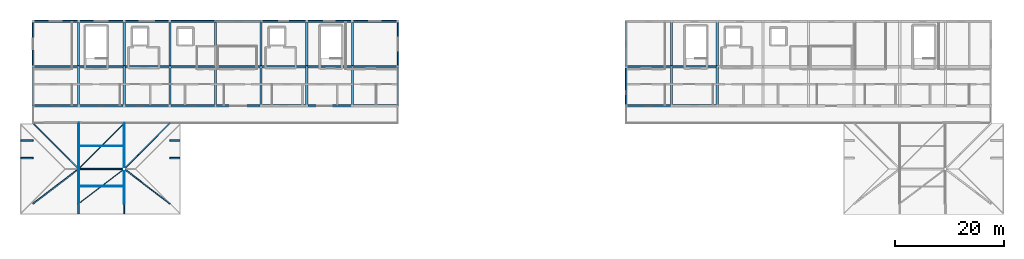
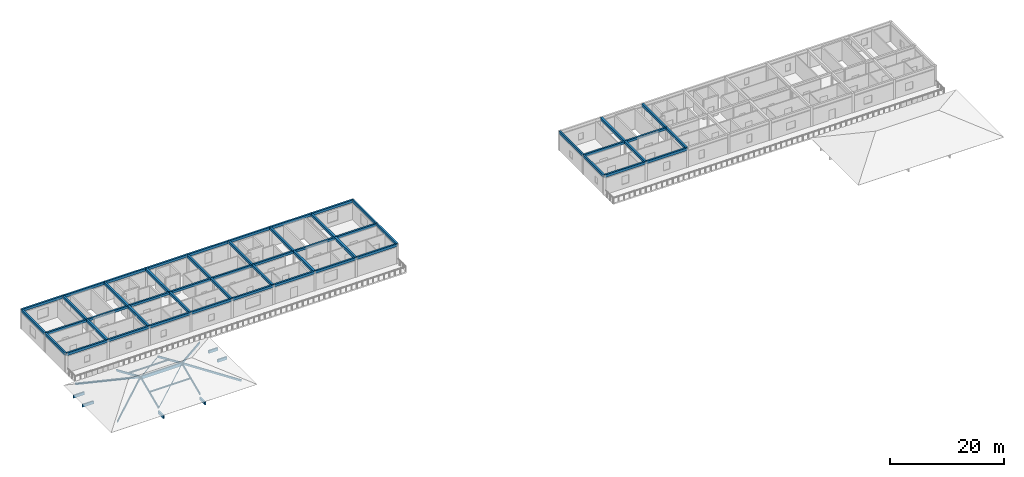
# One storey, part 9 of 22: 59 beams, 12 members.
"""IFC4 building model written with IfcOpenShell, lengths in metres."""

from ifc_helpers import new_model, si_unit, direction, frame, origin, origin_2d, place, context, subcontext, project, spatial, rectangle, hollow_circle, extrude, material, material_profile, profile_set, type_object, element, save


model = new_model("IFC4")

# Units and contexts
model_context = context("Model", 3, precision=1e-05, world=origin(), true_north=direction((0.0, 1.0)))
body_context = subcontext(model_context, "Body", "Model", "MODEL_VIEW")
ifc_project = project(units=[si_unit("LENGTHUNIT", "METRE"), si_unit("AREAUNIT", "SQUARE_METRE"), si_unit("VOLUMEUNIT", "CUBIC_METRE"), si_unit("PLANEANGLEUNIT", "RADIAN"), si_unit("MASSUNIT", "GRAM", prefix="KILO")], contexts=[model_context])

# Site, building, storey
site_placement = place(None, origin())
site = spatial("IfcSite", under=ifc_project, at=site_placement, CompositionType="ELEMENT")
building_placement = place(site_placement, origin())
building = spatial("IfcBuilding", under=site, at=building_placement, Name="Varncliffe General Hospital", CompositionType="ELEMENT")
storey_placement = place(building_placement, frame((0.0, 0.0, 33.0)))
storey = spatial("IfcBuildingStorey", under=building, at=storey_placement, Name="L07", CompositionType="ELEMENT", Elevation=33.0)

# Beams
ifc_material_1 = material(Name="Concrete C35/45 (CSA A23.1 35 MPa)", Category="concrete")
ifc_material_profile_1 = material_profile(ifc_material_1, rectangle(XDim=0.39990234375, YDim=0.550048828125, at=origin_2d()), Name="RC 400x550")
ifc_profile_set_1 = profile_set([ifc_material_profile_1], Name="Concrete C35/45 (CSA A23.1 35 MPa)")
beam_type_1 = type_object("IfcBeamType", Name="Beam B32 (Int RC 400x550)", PredefinedType="BEAM", material=ifc_profile_set_1)
beam_1_placement = place(storey_placement, frame((8.39990234375, 109.199951171875, 3.925048828125), z_axis=(0.0, 1.0, 0.0), x_axis=(-1.0, 0.0, 0.0)))
element("IfcBeam", 1, at=beam_1_placement, inside=storey, type_object=beam_type_1, Name="L07 Primary Beam B32-51", PredefinedType="BEAM", context=body_context, shape_type="SweptSolid", body=[
    extrude(rectangle(XDim=0.39990234375, YDim=0.550048828125, at=origin_2d()), origin(), (0.0, 0.0, 1.0), 7.199951171875),
])
beam_2_placement = place(storey_placement, frame((8.39990234375, 116.39990234375, 3.925048828125), z_axis=(0.0, 1.0, 0.0), x_axis=(-1.0, 0.0, 0.0)))
element("IfcBeam", 2, at=beam_2_placement, inside=storey, type_object=beam_type_1, Name="L07 Primary Beam B32-52", PredefinedType="BEAM", context=body_context, shape_type="SweptSolid", body=[
    extrude(rectangle(XDim=0.39990234375, YDim=0.550048828125, at=origin_2d()), origin(), (0.0, 0.0, 1.0), 8.400146484375),
])
beam_3_placement = place(storey_placement, frame((16.800048828125, 109.199951171875, 3.925048828125), z_axis=(0.0, 1.0, 0.0), x_axis=(-1.0, 0.0, 0.0)))
element("IfcBeam", 3, at=beam_3_placement, inside=storey, type_object=beam_type_1, Name="L07 Primary Beam B32-53", PredefinedType="BEAM", context=body_context, shape_type="SweptSolid", body=[
    extrude(rectangle(XDim=0.39990234375, YDim=0.550048828125, at=origin_2d()), origin(), (0.0, 0.0, 1.0), 7.199951171875),
])
beam_4_placement = place(storey_placement, frame((16.800048828125, 116.39990234375, 3.925048828125), z_axis=(0.0, 1.0, 0.0), x_axis=(-1.0, 0.0, 0.0)))
element("IfcBeam", 4, at=beam_4_placement, inside=storey, type_object=beam_type_1, Name="L07 Primary Beam B32-54", PredefinedType="BEAM", context=body_context, shape_type="SweptSolid", body=[
    extrude(rectangle(XDim=0.39990234375, YDim=0.550048828125, at=origin_2d()), origin(), (0.0, 0.0, 1.0), 8.400146484375),
])
beam_5_placement = place(storey_placement, frame((25.199951171875, 109.199951171875, 3.925048828125), z_axis=(0.0, 1.0, 0.0), x_axis=(-1.0, 0.0, 0.0)))
element("IfcBeam", 5, at=beam_5_placement, inside=storey, type_object=beam_type_1, Name="L07 Primary Beam B32-55", PredefinedType="BEAM", context=body_context, shape_type="SweptSolid", body=[
    extrude(rectangle(XDim=0.39990234375, YDim=0.550048828125, at=origin_2d()), origin(), (0.0, 0.0, 1.0), 7.199951171875),
])
beam_6_placement = place(storey_placement, frame((25.199951171875, 116.39990234375, 3.925048828125), z_axis=(0.0, 1.0, 0.0), x_axis=(-1.0, 0.0, 0.0)))
element("IfcBeam", 6, at=beam_6_placement, inside=storey, type_object=beam_type_1, Name="L07 Primary Beam B32-56", PredefinedType="BEAM", context=body_context, shape_type="SweptSolid", body=[
    extrude(rectangle(XDim=0.39990234375, YDim=0.550048828125, at=origin_2d()), origin(), (0.0, 0.0, 1.0), 8.400146484375),
])
beam_7_placement = place(storey_placement, frame((33.60009765625, 109.199951171875, 3.925048828125), z_axis=(0.0, 1.0, 0.0), x_axis=(-1.0, 0.0, 0.0)))
element("IfcBeam", 7, at=beam_7_placement, inside=storey, type_object=beam_type_1, Name="L07 Primary Beam B32-57", PredefinedType="BEAM", context=body_context, shape_type="SweptSolid", body=[
    extrude(rectangle(XDim=0.39990234375, YDim=0.550048828125, at=origin_2d()), origin(), (0.0, 0.0, 1.0), 7.199951171875),
])
beam_8_placement = place(storey_placement, frame((33.60009765625, 116.39990234375, 3.925048828125), z_axis=(0.0, 1.0, 0.0), x_axis=(-1.0, 0.0, 0.0)))
element("IfcBeam", 8, at=beam_8_placement, inside=storey, type_object=beam_type_1, Name="L07 Primary Beam B32-58", PredefinedType="BEAM", context=body_context, shape_type="SweptSolid", body=[
    extrude(rectangle(XDim=0.39990234375, YDim=0.550048828125, at=origin_2d()), origin(), (0.0, 0.0, 1.0), 8.400146484375),
])
beam_9_placement = place(storey_placement, frame((42.0, 109.199951171875, 3.925048828125), z_axis=(0.0, 1.0, 0.0), x_axis=(-1.0, 0.0, 0.0)))
element("IfcBeam", 9, at=beam_9_placement, inside=storey, type_object=beam_type_1, Name="L07 Primary Beam B32-59", PredefinedType="BEAM", context=body_context, shape_type="SweptSolid", body=[
    extrude(rectangle(XDim=0.39990234375, YDim=0.550048828125, at=origin_2d()), origin(), (0.0, 0.0, 1.0), 7.199951171875),
])
beam_10_placement = place(storey_placement, frame((42.0, 116.39990234375, 3.925048828125), z_axis=(0.0, 1.0, 0.0), x_axis=(-1.0, 0.0, 0.0)))
element("IfcBeam", 10, at=beam_10_placement, inside=storey, type_object=beam_type_1, Name="L07 Primary Beam B32-60", PredefinedType="BEAM", context=body_context, shape_type="SweptSolid", body=[
    extrude(rectangle(XDim=0.39990234375, YDim=0.550048828125, at=origin_2d()), origin(), (0.0, 0.0, 1.0), 8.400146484375),
])
beam_11_placement = place(storey_placement, frame((50.39990234375, 109.199951171875, 3.925048828125), z_axis=(0.0, 1.0, 0.0), x_axis=(-1.0, 0.0, 0.0)))
element("IfcBeam", 11, at=beam_11_placement, inside=storey, type_object=beam_type_1, Name="L07 Primary Beam B32-61", PredefinedType="BEAM", context=body_context, shape_type="SweptSolid", body=[
    extrude(rectangle(XDim=0.39990234375, YDim=0.550048828125, at=origin_2d()), origin(), (0.0, 0.0, 1.0), 7.199951171875),
])
beam_12_placement = place(storey_placement, frame((50.39990234375, 116.39990234375, 3.925048828125), z_axis=(0.0, 1.0, 0.0), x_axis=(-1.0, 0.0, 0.0)))
element("IfcBeam", 12, at=beam_12_placement, inside=storey, type_object=beam_type_1, Name="L07 Primary Beam B32-62", PredefinedType="BEAM", context=body_context, shape_type="SweptSolid", body=[
    extrude(rectangle(XDim=0.39990234375, YDim=0.550048828125, at=origin_2d()), origin(), (0.0, 0.0, 1.0), 8.400146484375),
])
beam_13_placement = place(storey_placement, frame((58.800048828125, 109.199951171875, 3.925048828125), z_axis=(0.0, 1.0, 0.0), x_axis=(-1.0, 0.0, 0.0)))
element("IfcBeam", 13, at=beam_13_placement, inside=storey, type_object=beam_type_1, Name="L07 Primary Beam B32-63", PredefinedType="BEAM", context=body_context, shape_type="SweptSolid", body=[
    extrude(rectangle(XDim=0.39990234375, YDim=0.550048828125, at=origin_2d()), origin(), (0.0, 0.0, 1.0), 7.199951171875),
])
beam_14_placement = place(storey_placement, frame((58.800048828125, 116.39990234375, 3.925048828125), z_axis=(0.0, 1.0, 0.0), x_axis=(-1.0, 0.0, 0.0)))
element("IfcBeam", 14, at=beam_14_placement, inside=storey, type_object=beam_type_1, Name="L07 Primary Beam B32-64", PredefinedType="BEAM", context=body_context, shape_type="SweptSolid", body=[
    extrude(rectangle(XDim=0.39990234375, YDim=0.550048828125, at=origin_2d()), origin(), (0.0, 0.0, 1.0), 8.400146484375),
])
beam_15_placement = place(storey_placement, frame((117.60009765625, 109.199951171875, 3.925048828125), z_axis=(0.0, 1.0, 0.0), x_axis=(-1.0, 0.0, 0.0)))
element("IfcBeam", 15, at=beam_15_placement, inside=storey, type_object=beam_type_1, Name="L07 Primary Beam B32-69", PredefinedType="BEAM", context=body_context, shape_type="SweptSolid", body=[
    extrude(rectangle(XDim=0.39990234375, YDim=0.550048828125, at=origin_2d()), origin(), (0.0, 0.0, 1.0), 7.199951171875),
])
beam_16_placement = place(storey_placement, frame((117.60009765625, 116.39990234375, 3.925048828125), z_axis=(0.0, 1.0, 0.0), x_axis=(-1.0, 0.0, 0.0)))
element("IfcBeam", 16, at=beam_16_placement, inside=storey, type_object=beam_type_1, Name="L07 Primary Beam B32-70", PredefinedType="BEAM", context=body_context, shape_type="SweptSolid", body=[
    extrude(rectangle(XDim=0.39990234375, YDim=0.550048828125, at=origin_2d()), origin(), (0.0, 0.0, 1.0), 8.400146484375),
])
beam_17_placement = place(storey_placement, frame((126.0, 109.199951171875, 3.925048828125), z_axis=(0.0, 1.0, 0.0), x_axis=(-1.0, 0.0, 0.0)))
element("IfcBeam", 17, at=beam_17_placement, inside=storey, type_object=beam_type_1, Name="L07 Primary Beam B32-71", PredefinedType="BEAM", context=body_context, shape_type="SweptSolid", body=[
    extrude(rectangle(XDim=0.39990234375, YDim=0.550048828125, at=origin_2d()), origin(), (0.0, 0.0, 1.0), 7.199951171875),
])
beam_18_placement = place(storey_placement, frame((126.0, 116.39990234375, 3.925048828125), z_axis=(0.0, 1.0, 0.0), x_axis=(-1.0, 0.0, 0.0)))
element("IfcBeam", 18, at=beam_18_placement, inside=storey, type_object=beam_type_1, Name="L07 Primary Beam B32-72", PredefinedType="BEAM", context=body_context, shape_type="SweptSolid", body=[
    extrude(rectangle(XDim=0.39990234375, YDim=0.550048828125, at=origin_2d()), origin(), (0.0, 0.0, 1.0), 8.400146484375),
])
ifc_material_2 = material(Name="Glulam GL28h (CSA O86 24f-EX, 30 MPa)", Category="wood")
ifc_material_profile_2 = material_profile(ifc_material_2, rectangle(XDim=0.264892578125, YDim=0.68408203125, at=origin_2d()), Name="GL 265x684")
ifc_profile_set_2 = profile_set([ifc_material_profile_2], Name="Glulam GL28h (CSA O86 24f-EX, 30 MPa)")
beam_type_2 = type_object("IfcBeamType", Name="Beam B72 (Int GL 265x684)", PredefinedType="BEAM", material=ifc_profile_set_2)
beam_19_placement = place(storey_placement, frame((8.239990234375, 97.60009765625, 2.9921875), z_axis=(1.0, 0.0, 0.0), x_axis=(0.0, 1.0, 0.0)))
element("IfcBeam", 19, at=beam_19_placement, inside=storey, type_object=beam_type_2, Name="L07 RF-V6-SW2 Glulam Ridge Girder", PredefinedType="BEAM", context=body_context, shape_type="SweptSolid", body=[
    extrude(rectangle(XDim=0.264892578125, YDim=0.68408203125, at=origin_2d()), origin(), (0.0, 0.0, 1.0), 8.719970703125),
])
ifc_material_profile_3 = material_profile(ifc_material_1, rectangle(XDim=0.35009765625, YDim=0.5, at=origin_2d()), Name="RC 350x500")
ifc_profile_set_3 = profile_set([ifc_material_profile_3], Name="Concrete C35/45 (CSA A23.1 35 MPa)")
beam_type_3 = type_object("IfcBeamType", Name="Beam B79 (Int RC 350x500)", PredefinedType="BEAM", material=ifc_profile_set_3)
beam_20_placement = place(storey_placement, frame((0.0, 116.39990234375, 3.949951171875), z_axis=(1.0, 0.0, 0.0), x_axis=(0.0, 1.0, 0.0)))
element("IfcBeam", 20, at=beam_20_placement, inside=storey, type_object=beam_type_3, Name="L07 Primary Beam B79-17", PredefinedType="BEAM", context=body_context, shape_type="SweptSolid", body=[
    extrude(rectangle(XDim=0.35009765625, YDim=0.5, at=origin_2d()), origin(), (0.0, 0.0, 1.0), 8.39990234375),
])
beam_21_placement = place(storey_placement, frame((8.39990234375, 116.39990234375, 3.949951171875), z_axis=(1.0, 0.0, 0.0), x_axis=(0.0, 1.0, 0.0)))
element("IfcBeam", 21, at=beam_21_placement, inside=storey, type_object=beam_type_3, Name="L07 Primary Beam B79-18", PredefinedType="BEAM", context=body_context, shape_type="SweptSolid", body=[
    extrude(rectangle(XDim=0.35009765625, YDim=0.5, at=origin_2d()), origin(), (0.0, 0.0, 1.0), 8.400146484375),
])
beam_22_placement = place(storey_placement, frame((16.800048828125, 116.39990234375, 3.949951171875), z_axis=(1.0, 0.0, 0.0), x_axis=(0.0, 1.0, 0.0)))
element("IfcBeam", 22, at=beam_22_placement, inside=storey, type_object=beam_type_3, Name="L07 Primary Beam B79-19", PredefinedType="BEAM", context=body_context, shape_type="SweptSolid", body=[
    extrude(rectangle(XDim=0.35009765625, YDim=0.5, at=origin_2d()), origin(), (0.0, 0.0, 1.0), 8.39990234375),
])
beam_23_placement = place(storey_placement, frame((25.199951171875, 116.39990234375, 3.949951171875), z_axis=(1.0, 0.0, 0.0), x_axis=(0.0, 1.0, 0.0)))
element("IfcBeam", 23, at=beam_23_placement, inside=storey, type_object=beam_type_3, Name="L07 Primary Beam B79-20", PredefinedType="BEAM", context=body_context, shape_type="SweptSolid", body=[
    extrude(rectangle(XDim=0.35009765625, YDim=0.5, at=origin_2d()), origin(), (0.0, 0.0, 1.0), 8.400146484375),
])
for number, where, z_axis, x_axis, name in (
    (24, (33.60009765625, 116.39990234375, 3.949951171875), (1.0, 0.0, 0.0), (0.0, 1.0, 0.0), "L07 Primary Beam B79-21"),
    (25, (42.0, 116.39990234375, 3.949951171875), (1.0, 0.0, 0.0), (0.0, 1.0, 0.0), "L07 Primary Beam B79-22"),
):
    element("IfcBeam", number, at=place(storey_placement, frame(where, z_axis=z_axis, x_axis=x_axis)), inside=storey, type_object=beam_type_3, Name=name, PredefinedType="BEAM", context=body_context, shape_type="SweptSolid", body=[
        extrude(rectangle(XDim=0.35009765625, YDim=0.5, at=origin_2d()), origin(), (0.0, 0.0, 1.0), 8.39990234375),
    ])
beam_24_placement = place(storey_placement, frame((50.39990234375, 116.39990234375, 3.949951171875), z_axis=(1.0, 0.0, 0.0), x_axis=(0.0, 1.0, 0.0)))
element("IfcBeam", 26, at=beam_24_placement, inside=storey, type_object=beam_type_3, Name="L07 Primary Beam B79-23", PredefinedType="BEAM", context=body_context, shape_type="SweptSolid", body=[
    extrude(rectangle(XDim=0.35009765625, YDim=0.5, at=origin_2d()), origin(), (0.0, 0.0, 1.0), 8.400146484375),
])
beam_25_placement = place(storey_placement, frame((58.800048828125, 116.39990234375, 3.949951171875), z_axis=(1.0, 0.0, 0.0), x_axis=(0.0, 1.0, 0.0)))
element("IfcBeam", 27, at=beam_25_placement, inside=storey, type_object=beam_type_3, Name="L07 Primary Beam B79-24", PredefinedType="BEAM", context=body_context, shape_type="SweptSolid", body=[
    extrude(rectangle(XDim=0.35009765625, YDim=0.5, at=origin_2d()), origin(), (0.0, 0.0, 1.0), 8.39990234375),
])
beam_26_placement = place(storey_placement, frame((109.199951171875, 116.39990234375, 3.949951171875), z_axis=(1.0, 0.0, 0.0), x_axis=(0.0, 1.0, 0.0)))
element("IfcBeam", 28, at=beam_26_placement, inside=storey, type_object=beam_type_3, Name="L07 Primary Beam B79-25", PredefinedType="BEAM", context=body_context, shape_type="SweptSolid", body=[
    extrude(rectangle(XDim=0.35009765625, YDim=0.5, at=origin_2d()), origin(), (0.0, 0.0, 1.0), 8.400146484375),
])
beam_27_placement = place(storey_placement, frame((117.60009765625, 116.39990234375, 3.949951171875), z_axis=(1.0, 0.0, 0.0), x_axis=(0.0, 1.0, 0.0)))
element("IfcBeam", 29, at=beam_27_placement, inside=storey, type_object=beam_type_3, Name="L07 Primary Beam B79-26", PredefinedType="BEAM", context=body_context, shape_type="SweptSolid", body=[
    extrude(rectangle(XDim=0.35009765625, YDim=0.5, at=origin_2d()), origin(), (0.0, 0.0, 1.0), 8.39990234375),
])
ifc_material_profile_4 = material_profile(ifc_material_2, rectangle(XDim=0.264892578125, YDim=0.60791015625, at=origin_2d()), Name="GL 265x608")
ifc_profile_set_4 = profile_set([ifc_material_profile_4], Name="Glulam GL28h (CSA O86 24f-EX, 30 MPa)")
beam_type_4 = type_object("IfcBeamType", Name="Beam B82 (Ext GL 265x608)", PredefinedType="BEAM", material=ifc_profile_set_4)
for number, where, z_axis, x_axis, name in (
    (30, (8.39990234375, 89.340087890625, -0.501708984375), (0.0, 1.0, 0.0), (-1.0, 0.0, 0.0), "L07 RF-V6-SW2 South Eave Lookout Bracket 1"),
    (31, (16.800048828125, 89.340087890625, -0.501708984375), (0.0, 1.0, 0.0), (-1.0, 0.0, 0.0), "L07 RF-V6-SW2 South Eave Lookout Bracket 2"),
):
    element("IfcBeam", number, at=place(storey_placement, frame(where, z_axis=z_axis, x_axis=x_axis)), inside=storey, type_object=beam_type_4, Name=name, PredefinedType="BEAM", context=body_context, shape_type="SweptSolid", body=[
        extrude(rectangle(XDim=0.264892578125, YDim=0.60791015625, at=origin_2d()), origin(), (0.0, 0.0, 1.0), 1.85986328125),
    ])
for number, where, z_axis, x_axis, name in (
    (32, (-2.260009765625, 99.60009765625, -0.501708984375), (1.0, 0.0, 0.0), (0.0, 1.0, 0.0), "L07 RF-V6-SW2 West Eave Lookout Bracket 1"),
    (33, (-2.260009765625, 102.800048828125, -0.501708984375), (1.0, 0.0, 0.0), (0.0, 1.0, 0.0), "L07 RF-V6-SW2 West Eave Lookout Bracket 2"),
):
    element("IfcBeam", number, at=place(storey_placement, frame(where, z_axis=z_axis, x_axis=x_axis)), inside=storey, type_object=beam_type_4, Name=name, PredefinedType="BEAM", context=body_context, shape_type="SweptSolid", body=[
        extrude(rectangle(XDim=0.264892578125, YDim=0.60791015625, at=origin_2d()), origin(), (0.0, 0.0, 1.0), 2.260009765625),
    ])
for number, where, z_axis, x_axis, name in (
    (34, (25.199951171875, 99.60009765625, -0.501708984375), (1.0, 0.0, 0.0), (0.0, 1.0, 0.0), "L07 RF-V6-SW2 East Eave Lookout Bracket 1"),
    (35, (25.199951171875, 102.800048828125, -0.501708984375), (1.0, 0.0, 0.0), (0.0, 1.0, 0.0), "L07 RF-V6-SW2 East Eave Lookout Bracket 2"),
):
    element("IfcBeam", number, at=place(storey_placement, frame(where, z_axis=z_axis, x_axis=x_axis)), inside=storey, type_object=beam_type_4, Name=name, PredefinedType="BEAM", context=body_context, shape_type="SweptSolid", body=[
        extrude(rectangle(XDim=0.264892578125, YDim=0.60791015625, at=origin_2d()), origin(), (0.0, 0.0, 1.0), 1.860107421875),
    ])

# Members
ifc_material_profile_5 = material_profile(ifc_material_2, rectangle(XDim=0.1298828125, YDim=0.26611328125, at=origin_2d()), Name="GL 130x266")
ifc_profile_set_5 = profile_set([ifc_material_profile_5], Name="Glulam GL28h (CSA O86 24f-EX, 30 MPa)")
member_type_1 = type_object("IfcMemberType", Name="Member MB19 (PURLIN Int GL 130x266)", PredefinedType="PURLIN", material=ifc_profile_set_5)
for number, where, z_axis, x_axis, name in (
    (36, (8.39990234375, 94.39990234375, 1.84912109375), (1.0, 0.0, 0.0), (0.0, 1.0, 0.0), "L07 RF-V6-SW2 Timber Purlin S1"),
    (37, (8.39990234375, 101.800048828125, 1.413330078125), (1.0, 0.0, 0.0), (0.0, 1.0, 0.0), "L07 RF-V6-SW2 Timber Purlin N1"),
):
    element("IfcMember", number, at=place(storey_placement, frame(where, z_axis=z_axis, x_axis=x_axis)), inside=storey, type_object=member_type_1, Name=name, PredefinedType="PURLIN", context=body_context, shape_type="SweptSolid", body=[
        extrude(rectangle(XDim=0.1298828125, YDim=0.26611328125, at=origin_2d()), origin(), (0.0, 0.0, 1.0), 8.400146484375),
    ])
ifc_material_profile_6 = material_profile(ifc_material_2, rectangle(XDim=0.175048828125, YDim=0.41796875, at=origin_2d()), Name="GL 175x418")
ifc_profile_set_6 = profile_set([ifc_material_profile_6], Name="Glulam GL28h (CSA O86 24f-EX, 30 MPa)")
member_type_2 = type_object("IfcMemberType", Name="Member MB73 (RAFTER Int GL 175x418)", PredefinedType="RAFTER", material=ifc_profile_set_6)
member_1_placement = place(storey_placement, frame((0.0, 91.199951171875, 0.368408203125), z_axis=(0.769055095885, 0.585948878651, 0.255378485977), x_axis=(-0.606044615001, 0.795430653564, 0.0)))
element("IfcMember", 38, at=member_1_placement, inside=storey, type_object=member_type_2, Name="L07 RF-V6-SW2 Hip Rafter SW", PredefinedType="RAFTER", context=body_context, shape_type="SweptSolid", body=[
    extrude(rectangle(XDim=0.175048828125, YDim=0.41796875, at=origin_2d()), origin(), (0.0, 0.0, 1.0), 10.87060546875),
])
member_2_placement = place(storey_placement, frame((0.0, 106.0, -0.505859375), z_axis=(0.675745322205, -0.675745322205, 0.294510643331), x_axis=(0.707106781187, 0.707106781187, 0.0)))
element("IfcMember", 39, at=member_2_placement, inside=storey, type_object=member_type_2, Name="L07 RF-V6-SW2 Hip Rafter NW", PredefinedType="RAFTER", context=body_context, shape_type="SweptSolid", body=[
    extrude(rectangle(XDim=0.175048828125, YDim=0.41796875, at=origin_2d()), origin(), (0.0, 0.0, 1.0), 12.378173828125),
])
member_3_placement = place(storey_placement, frame((25.199951171875, 91.199951171875, 0.368408203125), z_axis=(-0.769055095885, 0.585948878651, 0.255378485977), x_axis=(-0.606044615001, -0.795430653564, 0.0)))
element("IfcMember", 40, at=member_3_placement, inside=storey, type_object=member_type_2, Name="L07 RF-V6-SW2 Hip Rafter SE", PredefinedType="RAFTER", context=body_context, shape_type="SweptSolid", body=[
    extrude(rectangle(XDim=0.175048828125, YDim=0.41796875, at=origin_2d()), origin(), (0.0, 0.0, 1.0), 10.87060546875),
])
member_4_placement = place(storey_placement, frame((25.199951171875, 106.0, -0.505859375), z_axis=(-0.675745322205, -0.675745322205, 0.294510643331), x_axis=(0.707106781187, -0.707106781187, 0.0)))
element("IfcMember", 41, at=member_4_placement, inside=storey, type_object=member_type_2, Name="L07 RF-V6-SW2 Hip Rafter NE", PredefinedType="RAFTER", context=body_context, shape_type="SweptSolid", body=[
    extrude(rectangle(XDim=0.175048828125, YDim=0.41796875, at=origin_2d()), origin(), (0.0, 0.0, 1.0), 12.378173828125),
])
member_5_placement = place(storey_placement, frame((8.39990234375, 91.199951171875, 0.3564453125), z_axis=(0.0, 0.916719503306, 0.399531415858), x_axis=(-1.0, 0.0, 0.0)))
element("IfcMember", 42, at=member_5_placement, inside=storey, type_object=member_type_2, Name="L07 RF-V6-SW2 South Sloped Glulam Rafter 1", PredefinedType="RAFTER", context=body_context, shape_type="SweptSolid", body=[
    extrude(rectangle(XDim=0.175048828125, YDim=0.41796875, at=origin_2d()), origin(), (0.0, 0.0, 1.0), 6.916015625),
])
member_6_placement = place(storey_placement, frame((8.39990234375, 106.0, -0.51513671875), z_axis=(0.0, -0.916722427395, 0.399524706509), x_axis=(1.0, 0.0, 0.0)))
element("IfcMember", 43, at=member_6_placement, inside=storey, type_object=member_type_2, Name="L07 RF-V6-SW2 North Sloped Glulam Rafter 1", PredefinedType="RAFTER", context=body_context, shape_type="SweptSolid", body=[
    extrude(rectangle(XDim=0.175048828125, YDim=0.41796875, at=origin_2d()), origin(), (0.0, 0.0, 1.0), 9.09765625),
])
member_7_placement = place(storey_placement, frame((16.800048828125, 91.199951171875, 0.3564453125), z_axis=(0.0, 0.916719503306, 0.399531415858), x_axis=(-1.0, 0.0, 0.0)))
element("IfcMember", 44, at=member_7_placement, inside=storey, type_object=member_type_2, Name="L07 RF-V6-SW2 South Sloped Glulam Rafter 2", PredefinedType="RAFTER", context=body_context, shape_type="SweptSolid", body=[
    extrude(rectangle(XDim=0.175048828125, YDim=0.41796875, at=origin_2d()), origin(), (0.0, 0.0, 1.0), 6.916015625),
])
member_8_placement = place(storey_placement, frame((16.800048828125, 106.0, -0.51513671875), z_axis=(0.0, -0.916722427395, 0.399524706509), x_axis=(1.0, 0.0, 0.0)))
element("IfcMember", 45, at=member_8_placement, inside=storey, type_object=member_type_2, Name="L07 RF-V6-SW2 North Sloped Glulam Rafter 2", PredefinedType="RAFTER", context=body_context, shape_type="SweptSolid", body=[
    extrude(rectangle(XDim=0.175048828125, YDim=0.41796875, at=origin_2d()), origin(), (0.0, 0.0, 1.0), 9.09765625),
])
ifc_material_3 = material(Name="Steel S355 (CSA G40.21 350W)", Category="steel")
ifc_material_profile_7 = material_profile(ifc_material_3, hollow_circle(Radius=0.083984375, WallThickness=0.00634765625, at=origin_2d()), Name="CHS 168x6.4")
ifc_profile_set_7 = profile_set([ifc_material_profile_7], Name="Steel S355 (CSA G40.21 350W)")
member_type_3 = type_object("IfcMemberType", Name="Member MB84 (BRACE Int CHS 168x6.4)", PredefinedType="BRACE", material=ifc_profile_set_7)
member_9_placement = place(storey_placement, frame((8.39990234375, 91.199951171875, 0.3564453125), z_axis=(0.771755913015, 0.588007709469, 0.242156445982), x_axis=(-0.60604530486, 0.795430127954, 0.0)))
element("IfcMember", 46, at=member_9_placement, inside=storey, type_object=member_type_3, Name="L07 RF-V6-SW2 Lateral Wind Brace 1", PredefinedType="BRACE", context=body_context, shape_type="SweptSolid", body=[
    extrude(hollow_circle(Radius=0.083984375, WallThickness=0.00634765625, at=origin_2d()), origin(), (0.0, 0.0, 1.0), 10.884521484375),
])
member_10_placement = place(storey_placement, frame((16.800048828125, 106.0, -0.51513671875), z_axis=(-0.678176655808, -0.678156945381, 0.283159991785), x_axis=(0.707096505339, -0.707117056885, 0.0)))
element("IfcMember", 47, at=member_10_placement, inside=storey, type_object=member_type_3, Name="L07 RF-V6-SW2 Lateral Wind Brace 2", PredefinedType="BRACE", context=body_context, shape_type="SweptSolid", body=[
    extrude(hollow_circle(Radius=0.083984375, WallThickness=0.00634765625, at=origin_2d()), origin(), (0.0, 0.0, 1.0), 12.386474609375),
])

# Beams
ifc_material_profile_8 = material_profile(ifc_material_1, rectangle(XDim=0.35009765625, YDim=0.550048828125, at=origin_2d()), Name="RC 350x550")
ifc_profile_set_8 = profile_set([ifc_material_profile_8], Name="Concrete C35/45 (CSA A23.1 35 MPa)")
beam_type_5 = type_object("IfcBeamType", Name="Spandrel SP20 (Ext RC 350x550)", PredefinedType="SPANDREL", material=ifc_profile_set_8)
beam_28_placement = place(storey_placement, frame((0.0, 109.199951171875, 3.925048828125), z_axis=(1.0, 0.0, 0.0), x_axis=(0.0, 1.0, 0.0)))
element("IfcBeam", 48, at=beam_28_placement, inside=storey, type_object=beam_type_5, Name="L07 Spandrel Beam SP20-1", PredefinedType="SPANDREL", context=body_context, shape_type="SweptSolid", body=[
    extrude(rectangle(XDim=0.35009765625, YDim=0.550048828125, at=origin_2d()), origin(), (0.0, 0.0, 1.0), 8.39990234375),
])
beam_29_placement = place(storey_placement, frame((8.39990234375, 109.199951171875, 3.925048828125), z_axis=(1.0, 0.0, 0.0), x_axis=(0.0, 1.0, 0.0)))
element("IfcBeam", 49, at=beam_29_placement, inside=storey, type_object=beam_type_5, Name="L07 Spandrel Beam SP20-2", PredefinedType="SPANDREL", context=body_context, shape_type="SweptSolid", body=[
    extrude(rectangle(XDim=0.35009765625, YDim=0.550048828125, at=origin_2d()), origin(), (0.0, 0.0, 1.0), 8.400146484375),
])
beam_30_placement = place(storey_placement, frame((16.800048828125, 109.199951171875, 3.925048828125), z_axis=(1.0, 0.0, 0.0), x_axis=(0.0, 1.0, 0.0)))
element("IfcBeam", 50, at=beam_30_placement, inside=storey, type_object=beam_type_5, Name="L07 Spandrel Beam SP20-3", PredefinedType="SPANDREL", context=body_context, shape_type="SweptSolid", body=[
    extrude(rectangle(XDim=0.35009765625, YDim=0.550048828125, at=origin_2d()), origin(), (0.0, 0.0, 1.0), 8.39990234375),
])
beam_31_placement = place(storey_placement, frame((25.199951171875, 109.199951171875, 3.925048828125), z_axis=(1.0, 0.0, 0.0), x_axis=(0.0, 1.0, 0.0)))
element("IfcBeam", 51, at=beam_31_placement, inside=storey, type_object=beam_type_5, Name="L07 Spandrel Beam SP20-4", PredefinedType="SPANDREL", context=body_context, shape_type="SweptSolid", body=[
    extrude(rectangle(XDim=0.35009765625, YDim=0.550048828125, at=origin_2d()), origin(), (0.0, 0.0, 1.0), 8.400146484375),
])
for number, where, z_axis, x_axis, name in (
    (52, (33.60009765625, 109.199951171875, 3.925048828125), (1.0, 0.0, 0.0), (0.0, 1.0, 0.0), "L07 Spandrel Beam SP20-5"),
    (53, (42.0, 109.199951171875, 3.925048828125), (1.0, 0.0, 0.0), (0.0, 1.0, 0.0), "L07 Spandrel Beam SP20-6"),
):
    element("IfcBeam", number, at=place(storey_placement, frame(where, z_axis=z_axis, x_axis=x_axis)), inside=storey, type_object=beam_type_5, Name=name, PredefinedType="SPANDREL", context=body_context, shape_type="SweptSolid", body=[
        extrude(rectangle(XDim=0.35009765625, YDim=0.550048828125, at=origin_2d()), origin(), (0.0, 0.0, 1.0), 8.39990234375),
    ])
beam_32_placement = place(storey_placement, frame((50.39990234375, 109.199951171875, 3.925048828125), z_axis=(1.0, 0.0, 0.0), x_axis=(0.0, 1.0, 0.0)))
element("IfcBeam", 54, at=beam_32_placement, inside=storey, type_object=beam_type_5, Name="L07 Spandrel Beam SP20-7", PredefinedType="SPANDREL", context=body_context, shape_type="SweptSolid", body=[
    extrude(rectangle(XDim=0.35009765625, YDim=0.550048828125, at=origin_2d()), origin(), (0.0, 0.0, 1.0), 8.400146484375),
])
beam_33_placement = place(storey_placement, frame((58.800048828125, 109.199951171875, 3.925048828125), z_axis=(1.0, 0.0, 0.0), x_axis=(0.0, 1.0, 0.0)))
element("IfcBeam", 55, at=beam_33_placement, inside=storey, type_object=beam_type_5, Name="L07 Spandrel Beam SP20-8", PredefinedType="SPANDREL", context=body_context, shape_type="SweptSolid", body=[
    extrude(rectangle(XDim=0.35009765625, YDim=0.550048828125, at=origin_2d()), origin(), (0.0, 0.0, 1.0), 8.39990234375),
])
beam_34_placement = place(storey_placement, frame((109.199951171875, 109.199951171875, 3.925048828125), z_axis=(1.0, 0.0, 0.0), x_axis=(0.0, 1.0, 0.0)))
element("IfcBeam", 56, at=beam_34_placement, inside=storey, type_object=beam_type_5, Name="L07 Spandrel Beam SP20-9", PredefinedType="SPANDREL", context=body_context, shape_type="SweptSolid", body=[
    extrude(rectangle(XDim=0.35009765625, YDim=0.550048828125, at=origin_2d()), origin(), (0.0, 0.0, 1.0), 8.400146484375),
])
for number, where, z_axis, x_axis, name in (
    (57, (117.60009765625, 109.199951171875, 3.925048828125), (1.0, 0.0, 0.0), (0.0, 1.0, 0.0), "L07 Spandrel Beam SP20-10"),
    (58, (0.0, 124.800048828125, 3.925048828125), (1.0, 0.0, 0.0), (0.0, 1.0, 0.0), "L07 Spandrel Beam SP20-33"),
):
    element("IfcBeam", number, at=place(storey_placement, frame(where, z_axis=z_axis, x_axis=x_axis)), inside=storey, type_object=beam_type_5, Name=name, PredefinedType="SPANDREL", context=body_context, shape_type="SweptSolid", body=[
        extrude(rectangle(XDim=0.35009765625, YDim=0.550048828125, at=origin_2d()), origin(), (0.0, 0.0, 1.0), 8.39990234375),
    ])
beam_35_placement = place(storey_placement, frame((8.39990234375, 124.800048828125, 3.925048828125), z_axis=(1.0, 0.0, 0.0), x_axis=(0.0, 1.0, 0.0)))
element("IfcBeam", 59, at=beam_35_placement, inside=storey, type_object=beam_type_5, Name="L07 Spandrel Beam SP20-34", PredefinedType="SPANDREL", context=body_context, shape_type="SweptSolid", body=[
    extrude(rectangle(XDim=0.35009765625, YDim=0.550048828125, at=origin_2d()), origin(), (0.0, 0.0, 1.0), 8.400146484375),
])
beam_36_placement = place(storey_placement, frame((16.800048828125, 124.800048828125, 3.925048828125), z_axis=(1.0, 0.0, 0.0), x_axis=(0.0, 1.0, 0.0)))
element("IfcBeam", 60, at=beam_36_placement, inside=storey, type_object=beam_type_5, Name="L07 Spandrel Beam SP20-35", PredefinedType="SPANDREL", context=body_context, shape_type="SweptSolid", body=[
    extrude(rectangle(XDim=0.35009765625, YDim=0.550048828125, at=origin_2d()), origin(), (0.0, 0.0, 1.0), 8.39990234375),
])
beam_37_placement = place(storey_placement, frame((25.199951171875, 124.800048828125, 3.925048828125), z_axis=(1.0, 0.0, 0.0), x_axis=(0.0, 1.0, 0.0)))
element("IfcBeam", 61, at=beam_37_placement, inside=storey, type_object=beam_type_5, Name="L07 Spandrel Beam SP20-36", PredefinedType="SPANDREL", context=body_context, shape_type="SweptSolid", body=[
    extrude(rectangle(XDim=0.35009765625, YDim=0.550048828125, at=origin_2d()), origin(), (0.0, 0.0, 1.0), 8.400146484375),
])
for number, where, z_axis, x_axis, name in (
    (62, (33.60009765625, 124.800048828125, 3.925048828125), (1.0, 0.0, 0.0), (0.0, 1.0, 0.0), "L07 Spandrel Beam SP20-37"),
    (63, (42.0, 124.800048828125, 3.925048828125), (1.0, 0.0, 0.0), (0.0, 1.0, 0.0), "L07 Spandrel Beam SP20-38"),
):
    element("IfcBeam", number, at=place(storey_placement, frame(where, z_axis=z_axis, x_axis=x_axis)), inside=storey, type_object=beam_type_5, Name=name, PredefinedType="SPANDREL", context=body_context, shape_type="SweptSolid", body=[
        extrude(rectangle(XDim=0.35009765625, YDim=0.550048828125, at=origin_2d()), origin(), (0.0, 0.0, 1.0), 8.39990234375),
    ])
beam_38_placement = place(storey_placement, frame((50.39990234375, 124.800048828125, 3.925048828125), z_axis=(1.0, 0.0, 0.0), x_axis=(0.0, 1.0, 0.0)))
element("IfcBeam", 64, at=beam_38_placement, inside=storey, type_object=beam_type_5, Name="L07 Spandrel Beam SP20-39", PredefinedType="SPANDREL", context=body_context, shape_type="SweptSolid", body=[
    extrude(rectangle(XDim=0.35009765625, YDim=0.550048828125, at=origin_2d()), origin(), (0.0, 0.0, 1.0), 8.400146484375),
])
beam_39_placement = place(storey_placement, frame((58.800048828125, 124.800048828125, 3.925048828125), z_axis=(1.0, 0.0, 0.0), x_axis=(0.0, 1.0, 0.0)))
element("IfcBeam", 65, at=beam_39_placement, inside=storey, type_object=beam_type_5, Name="L07 Spandrel Beam SP20-40", PredefinedType="SPANDREL", context=body_context, shape_type="SweptSolid", body=[
    extrude(rectangle(XDim=0.35009765625, YDim=0.550048828125, at=origin_2d()), origin(), (0.0, 0.0, 1.0), 8.39990234375),
])
beam_40_placement = place(storey_placement, frame((0.0, 109.199951171875, 3.925048828125), z_axis=(0.0, 1.0, 0.0), x_axis=(-1.0, 0.0, 0.0)))
element("IfcBeam", 66, at=beam_40_placement, inside=storey, type_object=beam_type_5, Name="L07 Spandrel Beam SP20-49", PredefinedType="SPANDREL", context=body_context, shape_type="SweptSolid", body=[
    extrude(rectangle(XDim=0.35009765625, YDim=0.550048828125, at=origin_2d()), origin(), (0.0, 0.0, 1.0), 7.199951171875),
])
beam_41_placement = place(storey_placement, frame((0.0, 116.39990234375, 3.925048828125), z_axis=(0.0, 1.0, 0.0), x_axis=(-1.0, 0.0, 0.0)))
element("IfcBeam", 67, at=beam_41_placement, inside=storey, type_object=beam_type_5, Name="L07 Spandrel Beam SP20-50", PredefinedType="SPANDREL", context=body_context, shape_type="SweptSolid", body=[
    extrude(rectangle(XDim=0.35009765625, YDim=0.550048828125, at=origin_2d()), origin(), (0.0, 0.0, 1.0), 8.400146484375),
])
beam_42_placement = place(storey_placement, frame((67.199951171875, 109.199951171875, 3.925048828125), z_axis=(0.0, 1.0, 0.0), x_axis=(-1.0, 0.0, 0.0)))
element("IfcBeam", 68, at=beam_42_placement, inside=storey, type_object=beam_type_5, Name="L07 Spandrel Beam SP20-65", PredefinedType="SPANDREL", context=body_context, shape_type="SweptSolid", body=[
    extrude(rectangle(XDim=0.35009765625, YDim=0.550048828125, at=origin_2d()), origin(), (0.0, 0.0, 1.0), 7.199951171875),
])
beam_43_placement = place(storey_placement, frame((67.199951171875, 116.39990234375, 3.925048828125), z_axis=(0.0, 1.0, 0.0), x_axis=(-1.0, 0.0, 0.0)))
element("IfcBeam", 69, at=beam_43_placement, inside=storey, type_object=beam_type_5, Name="L07 Spandrel Beam SP20-66", PredefinedType="SPANDREL", context=body_context, shape_type="SweptSolid", body=[
    extrude(rectangle(XDim=0.35009765625, YDim=0.550048828125, at=origin_2d()), origin(), (0.0, 0.0, 1.0), 8.400146484375),
])
beam_44_placement = place(storey_placement, frame((109.199951171875, 109.199951171875, 3.925048828125), z_axis=(0.0, 1.0, 0.0), x_axis=(-1.0, 0.0, 0.0)))
element("IfcBeam", 70, at=beam_44_placement, inside=storey, type_object=beam_type_5, Name="L07 Spandrel Beam SP20-67", PredefinedType="SPANDREL", context=body_context, shape_type="SweptSolid", body=[
    extrude(rectangle(XDim=0.35009765625, YDim=0.550048828125, at=origin_2d()), origin(), (0.0, 0.0, 1.0), 7.199951171875),
])
beam_45_placement = place(storey_placement, frame((109.199951171875, 116.39990234375, 3.925048828125), z_axis=(0.0, 1.0, 0.0), x_axis=(-1.0, 0.0, 0.0)))
element("IfcBeam", 71, at=beam_45_placement, inside=storey, type_object=beam_type_5, Name="L07 Spandrel Beam SP20-68", PredefinedType="SPANDREL", context=body_context, shape_type="SweptSolid", body=[
    extrude(rectangle(XDim=0.35009765625, YDim=0.550048828125, at=origin_2d()), origin(), (0.0, 0.0, 1.0), 8.400146484375),
])

save(model, "model.ifc")
